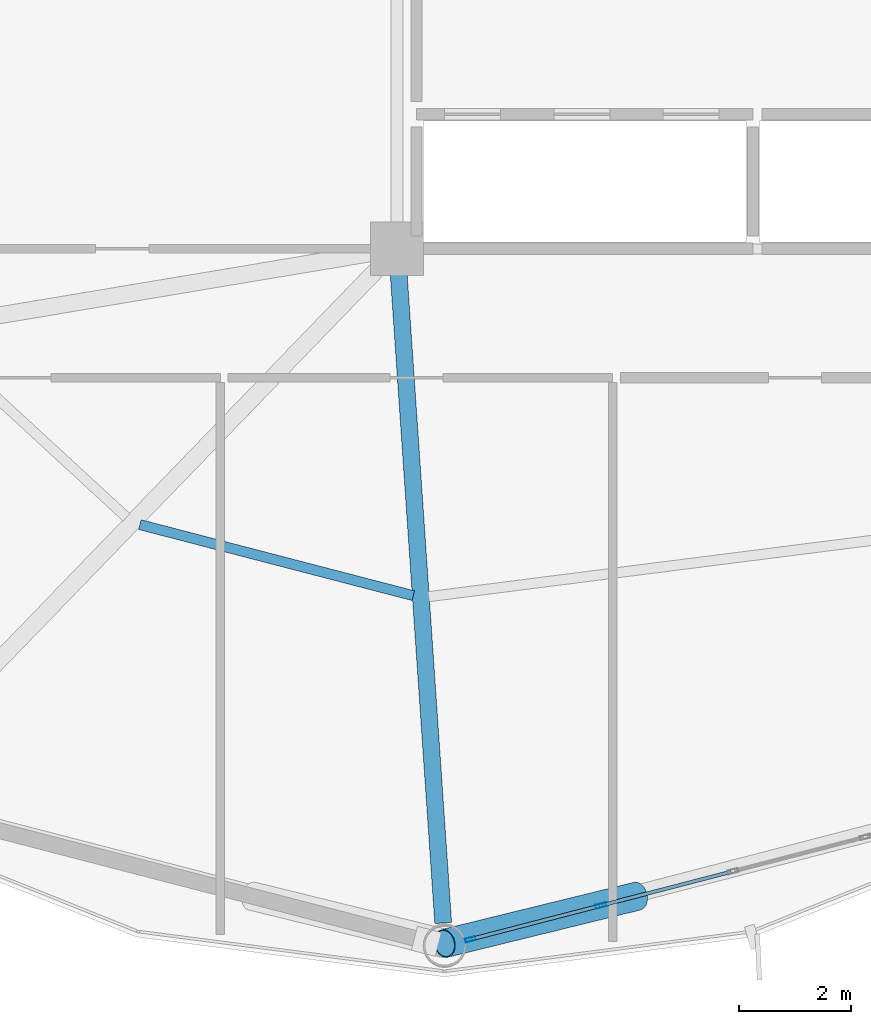
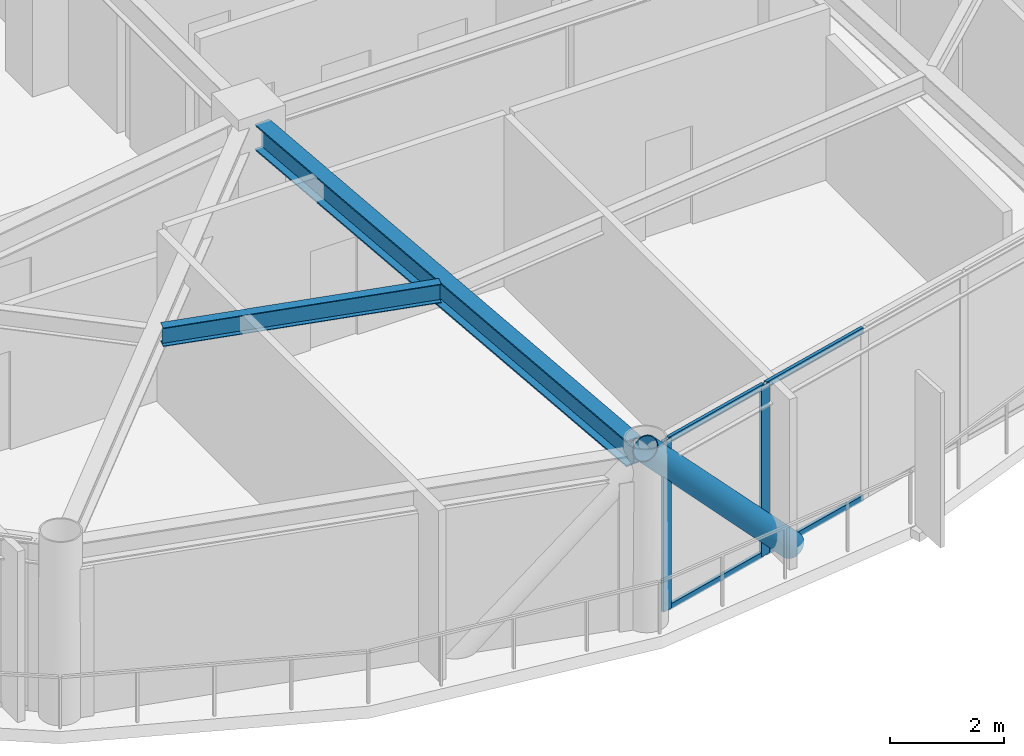
# One storey, part 7 of 26: 7 members, 2 beams, 1 element without a shape of its own.
"""IFC4 building model written with IfcOpenShell, lengths in metres."""

import ifcopenshell
import ifcopenshell.guid

model = None  # the IFC model being written
_history = None  # IfcOwnerHistory: only IFC2X3 demands one
_inside = {}  # id of a spatial element -> (the spatial element, [elements in it])
_under = {}  # id of a project, library or spatial element -> (it, [spatial elements below it])
_declared = {}  # id of a project -> (the project, [libraries it declares])
_typed = {}  # id of a type object -> (the type object, [elements of that type])
_made_of = {}  # id of a material, layer set ... -> (it, [elements and type objects made of it])


def new_model(schema):
    """Start an empty IFC model of exactly this schema.

    Asked for "IFC4X3", IfcOpenShell would pick the latest addendum, in which some entities
    have other attributes; the version numbers below select the first issue.
    IFC2X3 requires an IfcOwnerHistory on every rooted entity: one is made here for all.
    """
    global model, _history
    if schema == "IFC4X3":
        model = ifcopenshell.file(schema_version=(4, 3, 0, 0))
    else:
        model = ifcopenshell.file(schema=schema)
    _inside.clear()
    _under.clear()
    _declared.clear()
    _typed.clear()
    _made_of.clear()
    _history = None
    if model.schema == "IFC2X3":
        org = make("IfcOrganization", Name="unknown")
        user = make(
            "IfcPersonAndOrganization",
            ThePerson=make("IfcPerson", FamilyName="unknown"),
            TheOrganization=org,
        )
        app = make(
            "IfcApplication",
            ApplicationDeveloper=org,
            Version="unknown",
            ApplicationFullName="unknown",
            ApplicationIdentifier="unknown",
        )
        _history = make(
            "IfcOwnerHistory",
            OwningUser=user,
            OwningApplication=app,
            ChangeAction="ADDED",
            CreationDate=0,
        )
    return model


def make(cls, **values):
    """One entity of the class cls with the attributes given. An attribute that is None is left unset."""
    return model.create_entity(
        cls, **{name: value for name, value in values.items() if value is not None}
    )


def rooted(cls, **values):
    """An entity with a GlobalId (a new one), such as an element, a storey or a relation."""
    return make(cls, GlobalId=ifcopenshell.guid.new(), OwnerHistory=_history, **values)


def si_unit(unit_type, name, prefix=None):
    """IfcSIUnit, for example si_unit("LENGTHUNIT", "METRE", prefix="MILLI")."""
    return make("IfcSIUnit", UnitType=unit_type, Prefix=prefix, Name=name)


def assignment(units):
    """IfcUnitAssignment: the units of a project."""
    return None if units is None else make("IfcUnitAssignment", Units=units)


def point(xyz):
    """IfcCartesianPoint."""
    return None if xyz is None else make("IfcCartesianPoint", Coordinates=xyz)


def direction(xyz):
    """IfcDirection."""
    return None if xyz is None else make("IfcDirection", DirectionRatios=xyz)


def frame(location, z_axis=None, x_axis=None):
    """IfcAxis2Placement3D, a coordinate frame: its origin and axes. An axis left out is left unset."""
    return make(
        "IfcAxis2Placement3D",
        Location=point(location),
        Axis=direction(z_axis),
        RefDirection=direction(x_axis),
    )


def frame_2d(location, x_axis=None):
    """IfcAxis2Placement2D, a coordinate frame in the plane: its origin and x axis."""
    return make(
        "IfcAxis2Placement2D", Location=point(location), RefDirection=direction(x_axis)
    )


def origin():
    """The frame at (0, 0, 0) with its axes left unset."""
    return frame((0.0, 0.0, 0.0))


def origin_2d():
    """The frame at (0, 0) in the plane with its x axis left unset."""
    return frame_2d((0.0, 0.0))


def place(relative_to, where):
    """IfcLocalPlacement: puts the frame where relative to a parent placement (None: the world)."""
    return make(
        "IfcLocalPlacement", PlacementRelTo=relative_to, RelativePlacement=where
    )


def context(
    kind, dimensions, precision=None, world=None, true_north=None, identifier=None
):
    """IfcGeometricRepresentationContext, for example the 3D "Model" context."""
    return make(
        "IfcGeometricRepresentationContext",
        ContextIdentifier=identifier,
        ContextType=kind,
        CoordinateSpaceDimension=dimensions,
        Precision=precision,
        WorldCoordinateSystem=world,
        TrueNorth=true_north,
    )


def subcontext(parent, identifier, kind, view, scale=None):
    """IfcGeometricRepresentationSubContext, for example "Body" below "Model"."""
    return make(
        "IfcGeometricRepresentationSubContext",
        ContextIdentifier=identifier,
        ContextType=kind,
        ParentContext=parent,
        TargetScale=scale,
        TargetView=view,
    )


def project(units=None, contexts=None):
    """IfcProject with its units and contexts."""
    return rooted(
        "IfcProject",
        Name="project",
        RepresentationContexts=contexts,
        UnitsInContext=assignment(units),
    )


def spatial(cls, under=None, at=None, **own):
    """A site, building, storey or space (cls), placed at a placement, below another one or the project."""
    s = rooted(cls, ObjectPlacement=at, **own)
    if under is not None:
        _under.setdefault(under.id(), (under, []))[1].append(s)
    return s


def profile(cls, at=None, kind="AREA", **sizes):
    """A parametric profile (cls). Its sizes go by their IFC names, for example OverallWidth=200.0."""
    return make(cls, ProfileType=kind, Position=at, **sizes)


def hollow_rectangle(**sizes):
    """IfcRectangleHollowProfileDef."""
    return profile("IfcRectangleHollowProfileDef", **sizes)


def hollow_circle(**sizes):
    """IfcCircleHollowProfileDef."""
    return profile("IfcCircleHollowProfileDef", **sizes)


def i_section(**sizes):
    """IfcIShapeProfileDef."""
    return profile("IfcIShapeProfileDef", **sizes)


def extrude(swept, where, along, depth):
    """IfcExtrudedAreaSolid: the profile swept, set in the frame where, extruded along a direction by depth."""
    return make(
        "IfcExtrudedAreaSolid",
        SweptArea=swept,
        Position=where,
        ExtrudedDirection=direction(along),
        Depth=depth,
    )


def shape(context_of_items, identifier, shape_type, items):
    """IfcShapeRepresentation: the items that make up one representation, for example the "Body"."""
    return make(
        "IfcShapeRepresentation",
        ContextOfItems=context_of_items,
        RepresentationIdentifier=identifier,
        RepresentationType=shape_type,
        Items=items,
    )


def material(Name=None, Category=None):
    """IfcMaterial."""
    return make("IfcMaterial", Name=Name, Category=Category)


def layer(
    of_material, thickness, ventilated=None, Name=None, Category=None, Priority=None
):
    """IfcMaterialLayer: one layer of a wall or slab, of a material (None: an air gap)."""
    return make(
        "IfcMaterialLayer",
        Material=of_material,
        LayerThickness=thickness,
        IsVentilated=ventilated,
        Name=Name,
        Category=Category,
        Priority=Priority,
    )


def layer_set(layers, Name=None):
    """IfcMaterialLayerSet."""
    return make("IfcMaterialLayerSet", MaterialLayers=layers, LayerSetName=Name)


def material_profile(
    of_material, cross_section, Name=None, Category=None, Priority=None
):
    """IfcMaterialProfile: a cross section and its material."""
    return make(
        "IfcMaterialProfile",
        Name=Name,
        Material=of_material,
        Profile=cross_section,
        Priority=Priority,
        Category=Category,
    )


def profile_set(profiles, Name=None, composite=None):
    """IfcMaterialProfileSet."""
    return make(
        "IfcMaterialProfileSet",
        Name=Name,
        MaterialProfiles=profiles,
        CompositeProfile=composite,
    )


def made_of(thing, what):
    """Note that an element or type object is made of a material, layer set ...; save() writes the relation."""
    if what is not None:
        _made_of.setdefault(what.id(), (what, []))[1].append(thing)
    return thing


def type_object(cls, material=None, **own):
    """A type object (cls), such as IfcWallType, which elements share."""
    return made_of(rooted(cls, **own), material)


def element(
    cls,
    number,
    at=None,
    inside=None,
    cuts=None,
    type_object=None,
    material=None,
    context=None,
    identifier="Body",
    shape_type=None,
    held_by="IfcProductDefinitionShape",
    body=None,
    shapes=None,
    **own,
):
    """One element of the class cls, such as IfcWall. Its Tag is "e" and its number.

    at: its placement. inside: the storey or other place that contains it. cuts: it is an
    opening in that element (IfcRelVoidsElement). A single representation is given by context,
    identifier, shape_type and body (its items); several are given by shapes. held_by: the class
    of the entity that holds the representations. save() writes the other relations.
    """
    e = rooted(cls, Tag="e%d" % number, ObjectPlacement=at, **own)
    if body is not None:
        shapes = [shape(context, identifier, shape_type, body)]
    if shapes is not None:
        e.Representation = make(held_by, Representations=shapes)
    if inside is not None:
        _inside.setdefault(inside.id(), (inside, []))[1].append(e)
    if cuts is not None:
        rooted(
            "IfcRelVoidsElement", RelatingBuildingElement=cuts, RelatedOpeningElement=e
        )
    if type_object is not None:
        _typed.setdefault(type_object.id(), (type_object, []))[1].append(e)
    return made_of(e, material)


def aggregate(whole, parts):
    """IfcRelAggregates: a whole, such as a stair, and the parts it consists of."""
    return rooted("IfcRelAggregates", RelatingObject=whole, RelatedObjects=parts)


def save(model, path):
    """Write the relations noted so far, then the file.

    IfcRelAggregates (storeys below a building ...), IfcRelContainedInSpatialStructure (elements
    in a storey), IfcRelDefinesByType, IfcRelAssociatesMaterial and IfcRelDeclares: one each for
    every whole, place, type object, material and project.
    """
    for whole, parts in _under.values():
        aggregate(whole, parts)
    for where, things in _inside.values():
        rooted(
            "IfcRelContainedInSpatialStructure",
            RelatedElements=things,
            RelatingStructure=where,
        )
    for kind, things in _typed.values():
        rooted("IfcRelDefinesByType", RelatedObjects=things, RelatingType=kind)
    for what, things in _made_of.values():
        rooted("IfcRelAssociatesMaterial", RelatedObjects=things, RelatingMaterial=what)
    for by, libraries in _declared.values():
        rooted("IfcRelDeclares", RelatingContext=by, RelatedDefinitions=libraries)
    model.write(path)


model = new_model("IFC4")

# Units and contexts
model_context = context("Model", 3, precision=1e-05, world=origin(), true_north=direction((0.0, 1.0)))
body_context = subcontext(model_context, "Body", "Model", "MODEL_VIEW")
ifc_project = project(units=[si_unit("LENGTHUNIT", "METRE"), si_unit("AREAUNIT", "SQUARE_METRE"), si_unit("VOLUMEUNIT", "CUBIC_METRE"), si_unit("PLANEANGLEUNIT", "RADIAN"), si_unit("MASSUNIT", "GRAM", prefix="KILO")], contexts=[model_context])

# Site, building, storey
site_placement = place(None, origin())
site = spatial("IfcSite", under=ifc_project, at=site_placement, CompositionType="ELEMENT")
building_placement = place(site_placement, origin())
building = spatial("IfcBuilding", under=site, at=building_placement, Name="Varnakorn Sky Granary", CompositionType="ELEMENT")
storey_placement = place(building_placement, frame((0.0, 0.0, 153.89990234375)))
storey = spatial("IfcBuildingStorey", under=building, at=storey_placement, Name="L38", CompositionType="ELEMENT", Elevation=153.89990234375)

# Beams
ifc_material_1 = material(Name="Steel S355JR", Category="steel")
ifc_material_profile_1 = material_profile(ifc_material_1, i_section(OverallWidth=0.300048828125, OverallDepth=0.550048828125, WebThickness=0.014892578125, FlangeThickness=0.029052734375, at=origin_2d()), Name="HE 550 B")
ifc_profile_set_1 = profile_set([ifc_material_profile_1], Name="Steel S355JR")
beam_type_1 = type_object("IfcBeamType", Name="BM-RAD-Z3", PredefinedType="BEAM", material=ifc_profile_set_1)
beam_1_placement = place(storey_placement, frame((-2.3212890625, -7.01904296875, 3.364990234375), z_axis=(0.068440614858, -0.997655192057, 0.0), x_axis=(0.997655192057, 0.068440614858, 0.0)))
element("IfcBeam", 1, at=beam_1_placement, inside=storey, type_object=beam_type_1, Name="Radial Floor Girder RG10 L38", PredefinedType="BEAM", context=body_context, shape_type="SweptSolid", body=[
    extrude(i_section(OverallWidth=0.300048828125, OverallDepth=0.550048828125, WebThickness=0.014892578125, FlangeThickness=0.029052734375, at=origin_2d()), origin(), (0.0, 0.0, 1.0), 11.63623046875),
])
ifc_material_profile_2 = material_profile(ifc_material_1, i_section(OverallWidth=0.179931640625, OverallDepth=0.39990234375, WebThickness=0.008544921875, FlangeThickness=0.013427734375, at=origin_2d()), Name="IPE 400")
ifc_profile_set_2 = profile_set([ifc_material_profile_2], Name="Steel S355JR")
beam_type_2 = type_object("IfcBeamType", Name="BM-SEC-Z3", PredefinedType="BEAM", material=ifc_profile_set_2)
beam_2_placement = place(storey_placement, frame((-6.93701171875, -11.5205078125, 3.440185546875), z_axis=(0.967861658179, -0.251483221363, 0.0), x_axis=(0.251483221363, 0.967861658179, 0.0)))
element("IfcBeam", 2, at=beam_2_placement, inside=storey, type_object=beam_type_2, Name="Secondary Floor Chord Beam MSB09 L38", PredefinedType="BEAM", context=body_context, shape_type="SweptSolid", body=[
    extrude(i_section(OverallWidth=0.179931640625, OverallDepth=0.39990234375, WebThickness=0.008544921875, FlangeThickness=0.013427734375, at=origin_2d()), origin(), (0.0, 0.0, 1.0), 5.04052734375),
])

# Curtain wall, members
ifc_material_2 = material(Name="Anodised Bronze Aluminium Alloy 6063-T6", Category="aluminium")
ifc_layer = layer(ifc_material_2, 0.179931640625, Name="Anodised Bronze Aluminium Alloy 6063-T6")
ifc_layer_set = layer_set([ifc_layer], Name="Anodised Bronze Aluminium Alloy 6063-T6")
curtain_wall_type = type_object("IfcCurtainWallType", Name="CW-FRM-2", PredefinedType="USERDEFINED", material=ifc_layer_set)
curtain_wall_placement = place(storey_placement, origin())
curtain_wall = element("IfcCurtainWall", 3, at=curtain_wall_placement, inside=storey, type_object=curtain_wall_type, Name="Unitised Curtain Wall CW4 CW-L38-B10", ObjectType="CURTAIN WALL", PredefinedType="USERDEFINED")
ifc_material_profile_3 = material_profile(ifc_material_2, hollow_rectangle(XDim=0.070068359375, YDim=0.18505859375, WallThickness=0.00390625, at=origin_2d()), Name="ALU MULL 70x185")
ifc_profile_set_3 = profile_set([ifc_material_profile_3], Name="Anodised Bronze Aluminium Alloy 6063-T6")
member_type_1 = type_object("IfcMemberType", Name="CW-FRM-2-MULL", PredefinedType="MULLION", material=ifc_profile_set_3)
member_1_placement = place(storey_placement, frame((1.2861328125, -18.317626953125, 0.0), z_axis=(0.0, 0.0, 1.0), x_axis=(0.250935104668, -0.968003911792, 0.0)))
member_1 = element("IfcMember", 4, at=member_1_placement, type_object=member_type_1, Name="CW4 mullion 4", PredefinedType="MULLION", context=body_context, shape_type="SweptSolid", body=[
    extrude(hollow_rectangle(XDim=0.070068359375, YDim=0.18505859375, WallThickness=0.00390625, at=origin_2d()), origin(), (0.0, 0.0, 1.0), 3.64013671875),
])
member_2_placement = place(storey_placement, frame((-1.039306640625, -18.92041015625, 0.0), z_axis=(0.0, 0.0, 1.0), x_axis=(0.250935104668, -0.968003911792, 0.0)))
member_2 = element("IfcMember", 5, at=member_2_placement, type_object=member_type_1, Name="CW4 mullion 5", PredefinedType="MULLION", context=body_context, shape_type="SweptSolid", body=[
    extrude(hollow_rectangle(XDim=0.070068359375, YDim=0.18505859375, WallThickness=0.00390625, at=origin_2d()), origin(), (0.0, 0.0, 1.0), 3.64013671875),
])
ifc_material_profile_4 = material_profile(ifc_material_2, hollow_rectangle(XDim=0.06494140625, YDim=0.1201171875, WallThickness=0.00341796875, at=origin_2d()), Name="ALU TRAN 65x120")
ifc_profile_set_4 = profile_set([ifc_material_profile_4], Name="Anodised Bronze Aluminium Alloy 6063-T6")
member_type_2 = type_object("IfcMemberType", Name="CW-FRM-2-TRAN", PredefinedType="USERDEFINED", material=ifc_profile_set_4)
member_3_placement = place(storey_placement, frame((3.611572265625, -17.71484375, 0.03271484375), z_axis=(-0.968007104624, -0.250922787721, 0.0), x_axis=(0.250922787721, -0.968007104624, 0.0)))
member_3 = element("IfcMember", 6, at=member_3_placement, type_object=member_type_2, Name="CW4 transom 3.1", ObjectType="TRANSOM", PredefinedType="USERDEFINED", context=body_context, shape_type="SweptSolid", body=[
    extrude(hollow_rectangle(XDim=0.06494140625, YDim=0.1201171875, WallThickness=0.00341796875, at=origin_2d()), origin(), (0.0, 0.0, 1.0), 2.3671875),
])
member_4_placement = place(storey_placement, frame((3.611572265625, -17.71484375, 3.607666015625), z_axis=(-0.968007104624, -0.250922787721, 0.0), x_axis=(0.250922787721, -0.968007104624, 0.0)))
member_4 = element("IfcMember", 7, at=member_4_placement, type_object=member_type_2, Name="CW4 transom 3.2", ObjectType="TRANSOM", PredefinedType="USERDEFINED", context=body_context, shape_type="SweptSolid", body=[
    extrude(hollow_rectangle(XDim=0.06494140625, YDim=0.1201171875, WallThickness=0.00341796875, at=origin_2d()), origin(), (0.0, 0.0, 1.0), 2.3671875),
])
member_5_placement = place(storey_placement, frame((1.25244140625, -18.326416015625, 0.03271484375), z_axis=(-0.968012906541, -0.250900404085, 0.0), x_axis=(0.250900404085, -0.968012906541, 0.0)))
member_5 = element("IfcMember", 8, at=member_5_placement, type_object=member_type_2, Name="CW4 transom 4.1", ObjectType="TRANSOM", PredefinedType="USERDEFINED", context=body_context, shape_type="SweptSolid", body=[
    extrude(hollow_rectangle(XDim=0.06494140625, YDim=0.1201171875, WallThickness=0.00341796875, at=origin_2d()), origin(), (0.0, 0.0, 1.0), 2.33251953125),
])
member_6_placement = place(storey_placement, frame((1.25244140625, -18.326416015625, 3.607666015625), z_axis=(-0.968012906541, -0.250900404085, 0.0), x_axis=(0.250900404085, -0.968012906541, 0.0)))
member_6 = element("IfcMember", 9, at=member_6_placement, type_object=member_type_2, Name="CW4 transom 4.2", ObjectType="TRANSOM", PredefinedType="USERDEFINED", context=body_context, shape_type="SweptSolid", body=[
    extrude(hollow_rectangle(XDim=0.06494140625, YDim=0.1201171875, WallThickness=0.00341796875, at=origin_2d()), origin(), (0.0, 0.0, 1.0), 2.33251953125),
])
aggregate(curtain_wall, [member_1, member_2, member_3, member_4, member_5, member_6])

# Member
ifc_material_3 = material(Name="Steel S460M", Category="steel")
ifc_material_profile_5 = material_profile(ifc_material_3, hollow_circle(Radius=0.25390625, WallThickness=0.01806640625, at=origin_2d()), Name="CHS 508x18")
ifc_profile_set_5 = profile_set([ifc_material_profile_5], Name="Steel S460M")
member_type_3 = type_object("IfcMemberType", Name="MB-DIAG-T2", PredefinedType="BRACE", material=ifc_profile_set_5)
member_7_placement = place(storey_placement, frame((1.930419921875, -18.150634765625, -0.1298828125), z_axis=(-0.664004133311, -0.163035674324, 0.72973822693), x_axis=(0.238451545475, -0.971154395789, 0.0)))
element("IfcMember", 10, at=member_7_placement, inside=storey, type_object=member_type_3, Name="Perimeter CHS Diagrid Brace DG10 L38", PredefinedType="BRACE", context=body_context, shape_type="SweptSolid", body=[
    extrude(hollow_circle(Radius=0.25390625, WallThickness=0.01806640625, at=origin_2d()), origin(), (0.0, 0.0, 1.0), 5.166259765625),
])

save(model, "model.ifc")
